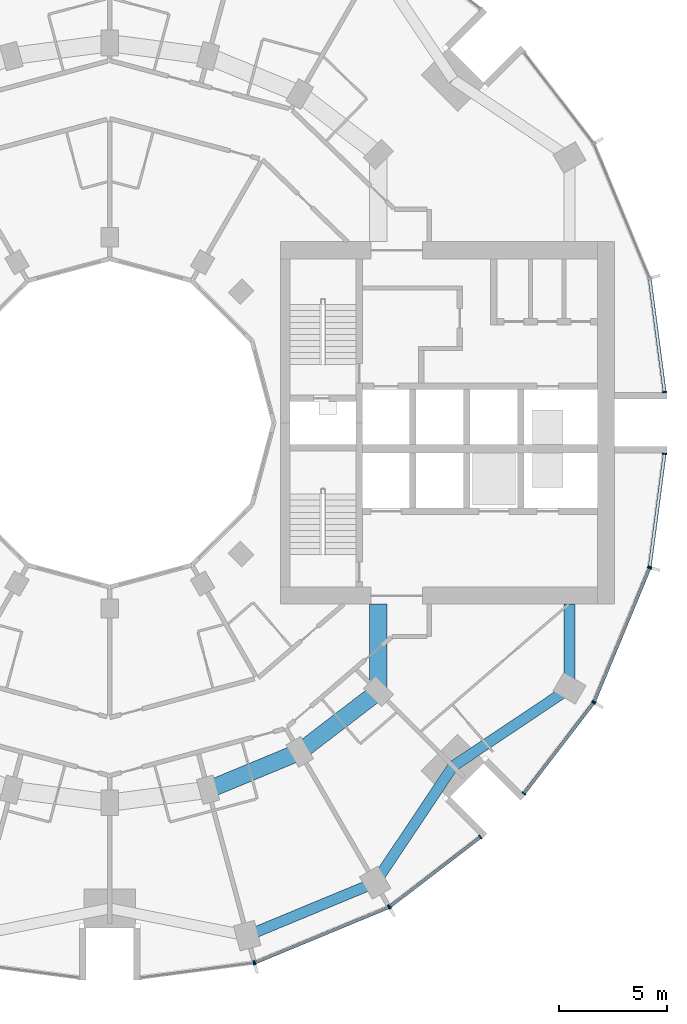
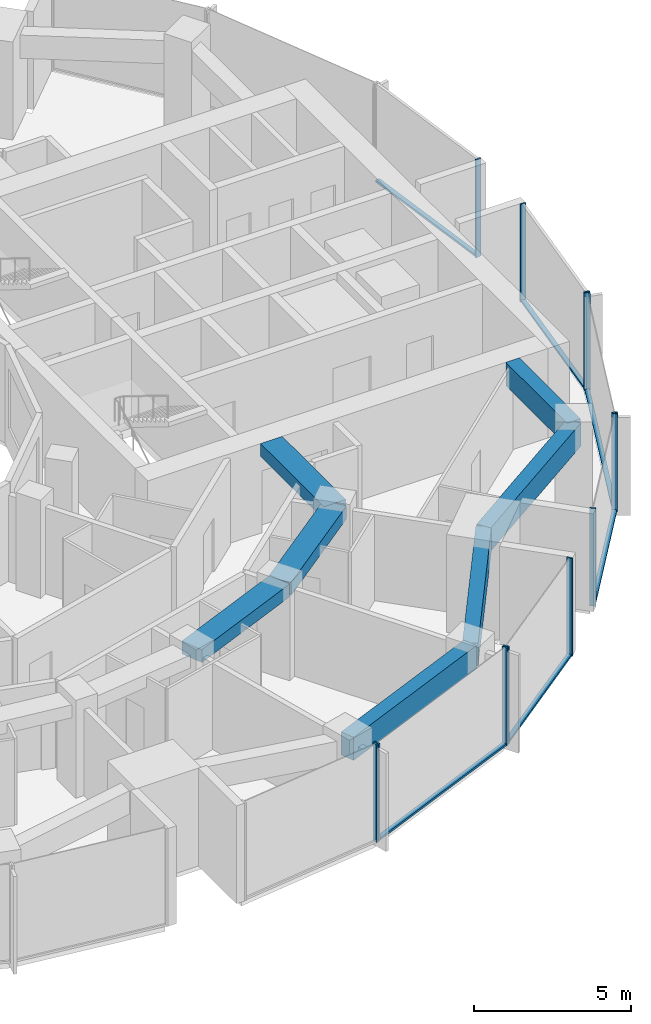
# One storey, part 4 of 15: 18 members, 7 beams, 7 elements without a shape of their own.
"""IFC4 building model written with IfcOpenShell, lengths in metres."""

from ifc_helpers import new_model, si_unit, direction, frame, origin, origin_2d, place, context, subcontext, project, spatial, rectangle, extrude, material, layer, layer_set, material_profile, profile_set, type_object, element, aggregate, save


model = new_model("IFC4")

# Units and contexts
model_context = context("Model", 3, precision=1e-05, world=origin(), true_north=direction((0.0, 1.0)))
body_context = subcontext(model_context, "Body", "Model", "MODEL_VIEW")
ifc_project = project(units=[si_unit("LENGTHUNIT", "METRE"), si_unit("AREAUNIT", "SQUARE_METRE"), si_unit("VOLUMEUNIT", "CUBIC_METRE"), si_unit("PLANEANGLEUNIT", "RADIAN"), si_unit("MASSUNIT", "GRAM", prefix="KILO")], contexts=[model_context])

# Site, building, storey
site_placement = place(None, origin())
site = spatial("IfcSite", under=ifc_project, at=site_placement, CompositionType="ELEMENT")
building_placement = place(site_placement, origin())
building = spatial("IfcBuilding", under=site, at=building_placement, Name="Torre Brocal", CompositionType="ELEMENT")
storey_placement = place(building_placement, frame((0.0, 0.0, 55.39990234375)))
storey = spatial("IfcBuildingStorey", under=building, at=storey_placement, Name="L12", CompositionType="ELEMENT", Elevation=55.39990234375)

# Curtain wall, member
ifc_material_1 = material(Name="Aluminium and glass", Category="aluminium")
ifc_layer_1 = layer(ifc_material_1, 0.199951171875)
ifc_layer_set_1 = layer_set([ifc_layer_1], Name="Aluminium and glass")
curtain_wall_type_1 = type_object("IfcCurtainWallType", Name="CW-1 CURTAIN WALL 3800 HIGH", PredefinedType="NOTDEFINED", material=ifc_layer_set_1)
curtain_wall_1_placement = place(storey_placement, origin())
curtain_wall_1 = element("IfcCurtainWall", 1, at=curtain_wall_1_placement, inside=storey, type_object=curtain_wall_type_1, Name="CW-1 RUN 19", PredefinedType="NOTDEFINED")
ifc_material_2 = material(Name="Aluminium, dark anodised", Category="aluminium")
ifc_material_profile_1 = material_profile(ifc_material_2, rectangle(XDim=0.199951171875, YDim=0.06005859375, at=origin_2d()), Name="CW-1 MULLION 60X200")
ifc_profile_set_1 = profile_set([ifc_material_profile_1], Name="Aluminium, dark anodised")
member_type_1 = type_object("IfcMemberType", Name="CW-1 MULLION 60X200", PredefinedType="MULLION", material=ifc_profile_set_1)
member_1_placement = place(storey_placement, frame((86.67333984375, 49.9794921875, 0.0), z_axis=(0.0, 0.0, 1.0), x_axis=(-0.13052619222, 0.991444861374, 0.0)))
member_1 = element("IfcMember", 2, at=member_1_placement, type_object=member_type_1, Name="CW1-1 mullion 2", PredefinedType="MULLION", context=body_context, shape_type="SweptSolid", body=[
    extrude(rectangle(XDim=0.199951171875, YDim=0.06005859375, at=origin_2d()), origin(), (0.0, 0.0, 1.0), 3.800048828125),
])
aggregate(curtain_wall_1, [member_1])

# Curtain wall, members
curtain_wall_2_placement = place(storey_placement, origin())
curtain_wall_2 = element("IfcCurtainWall", 3, at=curtain_wall_2_placement, inside=storey, type_object=curtain_wall_type_1, Name="CW-1 RUN 20", PredefinedType="NOTDEFINED")
member_2_placement = place(storey_placement, frame((86.73095703125, 49.994873046875, 0.0), z_axis=(0.0, 0.0, 1.0), x_axis=(-0.382683432333, 0.923879532525, 0.0)))
member_2 = element("IfcMember", 4, at=member_2_placement, type_object=member_type_1, Name="CW1-1 mullion 1", PredefinedType="MULLION", context=body_context, shape_type="SweptSolid", body=[
    extrude(rectangle(XDim=0.199951171875, YDim=0.06005859375, at=origin_2d()), origin(), (0.0, 0.0, 1.0), 3.800048828125),
])
member_3_placement = place(storey_placement, frame((92.921875, 52.559326171875, 0.0), z_axis=(0.0, 0.0, 1.0), x_axis=(-0.382683432333, 0.923879532525, 0.0)))
member_3 = element("IfcMember", 5, at=member_3_placement, type_object=member_type_1, Name="CW1-1 mullion 2", PredefinedType="MULLION", context=body_context, shape_type="SweptSolid", body=[
    extrude(rectangle(XDim=0.199951171875, YDim=0.06005859375, at=origin_2d()), origin(), (0.0, 0.0, 1.0), 3.800048828125),
])

curtain_wall_3_placement = place(storey_placement, origin())
curtain_wall_3 = element("IfcCurtainWall", 6, at=curtain_wall_3_placement, inside=storey, type_object=curtain_wall_type_1, Name="CW-1 RUN 21", PredefinedType="NOTDEFINED")
member_4_placement = place(storey_placement, frame((92.973388671875, 52.5888671875, 0.0), z_axis=(0.0, 0.0, 1.0), x_axis=(-0.60876142905, 0.793353340259, 0.0)))
member_4 = element("IfcMember", 7, at=member_4_placement, type_object=member_type_1, Name="CW1-1 mullion 1", PredefinedType="MULLION", context=body_context, shape_type="SweptSolid", body=[
    extrude(rectangle(XDim=0.199951171875, YDim=0.06005859375, at=origin_2d()), origin(), (0.0, 0.0, 1.0), 3.800048828125),
])
member_5_placement = place(storey_placement, frame((97.16943359375, 55.80859375, 0.0), z_axis=(0.0, 0.0, 1.0), x_axis=(-0.60876142905, 0.793353340259, 0.0)))
member_5 = element("IfcMember", 8, at=member_5_placement, type_object=member_type_1, Name="CW1-1 mullion 2", PredefinedType="MULLION", context=body_context, shape_type="SweptSolid", body=[
    extrude(rectangle(XDim=0.199951171875, YDim=0.06005859375, at=origin_2d()), origin(), (0.0, 0.0, 1.0), 3.800048828125),
])

curtain_wall_4_placement = place(storey_placement, origin())
curtain_wall_4 = element("IfcCurtainWall", 9, at=curtain_wall_4_placement, inside=storey, type_object=curtain_wall_type_1, Name="CW-1 RUN 22", PredefinedType="NOTDEFINED")
member_6_placement = place(storey_placement, frame((99.19140625, 57.83056640625, 0.0), z_axis=(0.0, 0.0, 1.0), x_axis=(-0.793353340259, 0.60876142905, 0.0)))
member_6 = element("IfcMember", 10, at=member_6_placement, type_object=member_type_1, Name="CW1-1 mullion 1", PredefinedType="MULLION", context=body_context, shape_type="SweptSolid", body=[
    extrude(rectangle(XDim=0.199951171875, YDim=0.06005859375, at=origin_2d()), origin(), (0.0, 0.0, 1.0), 3.800048828125),
])
member_7_placement = place(storey_placement, frame((102.4111328125, 62.026611328125, 0.0), z_axis=(0.0, 0.0, 1.0), x_axis=(-0.793353340259, 0.60876142905, 0.0)))
member_7 = element("IfcMember", 11, at=member_7_placement, type_object=member_type_1, Name="CW1-1 mullion 2", PredefinedType="MULLION", context=body_context, shape_type="SweptSolid", body=[
    extrude(rectangle(XDim=0.199951171875, YDim=0.06005859375, at=origin_2d()), origin(), (0.0, 0.0, 1.0), 3.800048828125),
])

curtain_wall_5_placement = place(storey_placement, origin())
curtain_wall_5 = element("IfcCurtainWall", 12, at=curtain_wall_5_placement, inside=storey, type_object=curtain_wall_type_1, Name="CW-1 RUN 23", PredefinedType="NOTDEFINED")
member_8_placement = place(storey_placement, frame((102.440673828125, 62.078125, 0.0), z_axis=(0.0, 0.0, 1.0), x_axis=(-0.923879532525, 0.382683432333, 0.0)))
member_8 = element("IfcMember", 13, at=member_8_placement, type_object=member_type_1, Name="CW1-1 mullion 1", PredefinedType="MULLION", context=body_context, shape_type="SweptSolid", body=[
    extrude(rectangle(XDim=0.199951171875, YDim=0.06005859375, at=origin_2d()), origin(), (0.0, 0.0, 1.0), 3.800048828125),
])
member_9_placement = place(storey_placement, frame((105.005126953125, 68.26904296875, 0.0), z_axis=(0.0, 0.0, 1.0), x_axis=(-0.923879532525, 0.382683432333, 0.0)))
member_9 = element("IfcMember", 14, at=member_9_placement, type_object=member_type_1, Name="CW1-1 mullion 2", PredefinedType="MULLION", context=body_context, shape_type="SweptSolid", body=[
    extrude(rectangle(XDim=0.199951171875, YDim=0.06005859375, at=origin_2d()), origin(), (0.0, 0.0, 1.0), 3.800048828125),
])

# Member
ifc_material_3 = material(Name="Aluminium, dark anodised", Category="aluminium")
ifc_material_profile_2 = material_profile(ifc_material_3, rectangle(XDim=0.159912109375, YDim=0.080078125, at=origin_2d()), Name="CW-1 TRANSOM 160X80")
ifc_profile_set_2 = profile_set([ifc_material_profile_2], Name="Aluminium, dark anodised")
member_type_2 = type_object("IfcMemberType", Name="CW-1 TRANSOM 160X80", PredefinedType="USERDEFINED", material=ifc_profile_set_2)
member_10_placement = place(storey_placement, frame((86.758544921875, 50.00634765625, 0.0400390625), z_axis=(0.923887344364, 0.38266457234, 0.0), x_axis=(-0.38266457234, 0.923887344364, 0.0)))
member_10 = element("IfcMember", 15, at=member_10_placement, type_object=member_type_2, Name="CW1-1 transom 1.1", ObjectType="TRANSOM", PredefinedType="USERDEFINED", context=body_context, shape_type="SweptSolid", body=[
    extrude(rectangle(XDim=0.159912109375, YDim=0.080078125, at=origin_2d()), origin(), (0.0, 0.0, 1.0), 6.640869140625),
])

aggregate(curtain_wall_2, [member_2, member_3, member_10])

member_11_placement = place(storey_placement, frame((92.9970703125, 52.607177734375, 0.0400390625), z_axis=(0.79336281513, 0.60874908096, 0.0), x_axis=(-0.60874908096, 0.79336281513, 0.0)))
member_11 = element("IfcMember", 16, at=member_11_placement, type_object=member_type_2, Name="CW1-1 transom 1.1", ObjectType="TRANSOM", PredefinedType="USERDEFINED", context=body_context, shape_type="SweptSolid", body=[
    extrude(rectangle(XDim=0.159912109375, YDim=0.080078125, at=origin_2d()), origin(), (0.0, 0.0, 1.0), 5.22900390625),
])

aggregate(curtain_wall_3, [member_4, member_5, member_11])

member_12_placement = place(storey_placement, frame((99.209716796875, 57.8544921875, 0.0400390625), z_axis=(0.60874908096, 0.79336281513, 0.0), x_axis=(-0.79336281513, 0.60874908096, 0.0)))
member_12 = element("IfcMember", 17, at=member_12_placement, type_object=member_type_2, Name="CW1-1 transom 1.1", ObjectType="TRANSOM", PredefinedType="USERDEFINED", context=body_context, shape_type="SweptSolid", body=[
    extrude(rectangle(XDim=0.159912109375, YDim=0.080078125, at=origin_2d()), origin(), (0.0, 0.0, 1.0), 5.22900390625),
])

aggregate(curtain_wall_4, [member_6, member_7, member_12])

member_13_placement = place(storey_placement, frame((102.452392578125, 62.10595703125, 0.0400390625), z_axis=(0.38266457234, 0.923887344364, 0.0), x_axis=(-0.923887344364, 0.38266457234, 0.0)))
member_13 = element("IfcMember", 18, at=member_13_placement, type_object=member_type_2, Name="CW1-1 transom 1.1", ObjectType="TRANSOM", PredefinedType="USERDEFINED", context=body_context, shape_type="SweptSolid", body=[
    extrude(rectangle(XDim=0.159912109375, YDim=0.080078125, at=origin_2d()), origin(), (0.0, 0.0, 1.0), 6.640869140625),
])

aggregate(curtain_wall_5, [member_8, member_9, member_13])

# Curtain wall, member
ifc_material_4 = material(Name="Aluminium and glass", Category="aluminium")
ifc_layer_2 = layer(ifc_material_4, 0.199951171875)
ifc_layer_set_2 = layer_set([ifc_layer_2], Name="Aluminium and glass")
curtain_wall_type_2 = type_object("IfcCurtainWallType", Name="CW-1B CURTAIN WALL 3800 HIGH", PredefinedType="NOTDEFINED", material=ifc_layer_set_2)
curtain_wall_6_placement = place(storey_placement, origin())
curtain_wall_6 = element("IfcCurtainWall", 19, at=curtain_wall_6_placement, inside=storey, type_object=curtain_wall_type_2, Name="CW-1B RUN 1", PredefinedType="NOTDEFINED")
ifc_material_5 = material(Name="Aluminium, dark anodised", Category="aluminium")
ifc_material_profile_3 = material_profile(ifc_material_5, rectangle(XDim=0.199951171875, YDim=0.06005859375, at=origin_2d()), Name="CW-1B MULLION 60X200")
ifc_profile_set_3 = profile_set([ifc_material_profile_3], Name="Aluminium, dark anodised")
member_type_3 = type_object("IfcMemberType", Name="CW-1B MULLION 60X200", PredefinedType="MULLION", material=ifc_profile_set_3)
member_14_placement = place(storey_placement, frame((105.7109375, 76.4296875, 0.0), z_axis=(0.0, 0.0, 1.0), x_axis=(-0.991444861374, -0.13052619222, 0.0)))
member_14 = element("IfcMember", 20, at=member_14_placement, type_object=member_type_3, Name="CW1B-1 mullion 1", PredefinedType="MULLION", context=body_context, shape_type="SweptSolid", body=[
    extrude(rectangle(XDim=0.199951171875, YDim=0.06005859375, at=origin_2d()), origin(), (0.0, 0.0, 1.0), 3.800048828125),
])

# Curtain wall, members
curtain_wall_7_placement = place(storey_placement, origin())
curtain_wall_7 = element("IfcCurtainWall", 21, at=curtain_wall_7_placement, inside=storey, type_object=curtain_wall_type_2, Name="CW-1B RUN 24", PredefinedType="NOTDEFINED")
member_15_placement = place(storey_placement, frame((105.0205078125, 68.32666015625, 0.0), z_axis=(0.0, 0.0, 1.0), x_axis=(-0.991444861374, 0.13052619222, 0.0)))
member_15 = element("IfcMember", 22, at=member_15_placement, type_object=member_type_3, Name="CW1B-1 mullion 1", PredefinedType="MULLION", context=body_context, shape_type="SweptSolid", body=[
    extrude(rectangle(XDim=0.199951171875, YDim=0.06005859375, at=origin_2d()), origin(), (0.0, 0.0, 1.0), 3.800048828125),
])
member_16_placement = place(storey_placement, frame((105.7109375, 73.5703125, 0.0), z_axis=(0.0, 0.0, 1.0), x_axis=(-0.991444861374, 0.13052619222, 0.0)))
member_16 = element("IfcMember", 23, at=member_16_placement, type_object=member_type_3, Name="CW1B-1 mullion 2", PredefinedType="MULLION", context=body_context, shape_type="SweptSolid", body=[
    extrude(rectangle(XDim=0.199951171875, YDim=0.06005859375, at=origin_2d()), origin(), (0.0, 0.0, 1.0), 3.800048828125),
])

# Member
ifc_material_6 = material(Name="Aluminium, dark anodised", Category="aluminium")
ifc_material_profile_4 = material_profile(ifc_material_6, rectangle(XDim=0.159912109375, YDim=0.080078125, at=origin_2d()), Name="CW-1B TRANSOM 160X80")
ifc_profile_set_4 = profile_set([ifc_material_profile_4], Name="Aluminium, dark anodised")
member_type_4 = type_object("IfcMemberType", Name="CW-1B TRANSOM 160X80", PredefinedType="USERDEFINED", material=ifc_profile_set_4)
member_17_placement = place(storey_placement, frame((105.70703125, 76.45947265625, 0.0400390625), z_axis=(-0.130542677827, 0.991442690863, 0.0), x_axis=(-0.991442690863, -0.130542677827, 0.0)))
member_17 = element("IfcMember", 24, at=member_17_placement, type_object=member_type_4, Name="CW1B-1 transom 1.1", ObjectType="TRANSOM", PredefinedType="USERDEFINED", context=body_context, shape_type="SweptSolid", body=[
    extrude(rectangle(XDim=0.159912109375, YDim=0.080078125, at=origin_2d()), origin(), (0.0, 0.0, 1.0), 5.22900390625),
])

aggregate(curtain_wall_6, [member_14, member_17])

member_18_placement = place(storey_placement, frame((105.0244140625, 68.356201171875, 0.0400390625), z_axis=(0.130542677827, 0.991442690863, 0.0), x_axis=(-0.991442690863, 0.130542677827, 0.0)))
member_18 = element("IfcMember", 25, at=member_18_placement, type_object=member_type_4, Name="CW1B-1 transom 1.1", ObjectType="TRANSOM", PredefinedType="USERDEFINED", context=body_context, shape_type="SweptSolid", body=[
    extrude(rectangle(XDim=0.159912109375, YDim=0.080078125, at=origin_2d()), origin(), (0.0, 0.0, 1.0), 5.22900390625),
])

aggregate(curtain_wall_7, [member_15, member_16, member_18])

# Beams
ifc_material_7 = material(Name="Concrete C50", Category="concrete")
ifc_material_profile_5 = material_profile(ifc_material_7, rectangle(XDim=0.800048828125, YDim=0.5, at=origin_2d()), Name="RC 800X500")
ifc_profile_set_5 = profile_set([ifc_material_profile_5], Name="Concrete C50")
beam_type_1 = type_object("IfcBeamType", Name="RC BEAM 800X500 C50 TOP 3480", PredefinedType="BEAM", material=ifc_profile_set_5)
beam_1_placement = place(storey_placement, frame((84.55517578125, 57.999755859375, 3.22998046875), z_axis=(0.923878240166, 0.382686552348, 0.0), x_axis=(-0.382686552348, 0.923878240166, 0.0)))
element("IfcBeam", 26, at=beam_1_placement, inside=storey, type_object=beam_type_1, Name="Beam BT-19", PredefinedType="BEAM", context=body_context, shape_type="SweptSolid", body=[
    extrude(rectangle(XDim=0.800048828125, YDim=0.5, at=origin_2d()), origin(), (0.0, 0.0, 1.0), 4.5947265625),
])
beam_2_placement = place(storey_placement, frame((88.800048828125, 59.758056640625, 3.22998046875), z_axis=(0.793358265959, 0.6087550097, 0.0), x_axis=(-0.6087550097, 0.793358265959, 0.0)))
element("IfcBeam", 27, at=beam_2_placement, inside=storey, type_object=beam_type_1, Name="Beam BT-19", PredefinedType="BEAM", context=body_context, shape_type="SweptSolid", body=[
    extrude(rectangle(XDim=0.800048828125, YDim=0.5, at=origin_2d()), origin(), (0.0, 0.0, 1.0), 4.594482421875),
])
beam_3_placement = place(storey_placement, frame((92.445068359375, 62.554931640625, 3.22998046875), z_axis=(0.0, 1.0, 0.0), x_axis=(-1.0, 0.0, 0.0)))
element("IfcBeam", 28, at=beam_3_placement, inside=storey, type_object=beam_type_1, Name="Beam BT-19", PredefinedType="BEAM", context=body_context, shape_type="SweptSolid", body=[
    extrude(rectangle(XDim=0.800048828125, YDim=0.5, at=origin_2d()), origin(), (0.0, 0.0, 1.0), 4.045166015625),
])
ifc_material_8 = material(Name="Concrete C50", Category="concrete")
ifc_material_profile_6 = material_profile(ifc_material_8, rectangle(XDim=0.5, YDim=0.89990234375, at=origin_2d()), Name="RC 500X900")
ifc_profile_set_6 = profile_set([ifc_material_profile_6], Name="Concrete C50")
beam_type_2 = type_object("IfcBeamType", Name="RC SPANDREL BEAM 500X900 C50 TOP 3480", PredefinedType="SPANDREL", material=ifc_profile_set_6)
beam_4_placement = place(storey_placement, frame((86.366943359375, 51.23828125, 3.030029296875), z_axis=(0.923882462513, 0.382676358639, 0.0), x_axis=(-0.382676358639, 0.923882462513, 0.0)))
element("IfcBeam", 29, at=beam_4_placement, inside=storey, type_object=beam_type_2, Name="Beam BT-20", PredefinedType="SPANDREL", context=body_context, shape_type="SweptSolid", body=[
    extrude(rectangle(XDim=0.5, YDim=0.89990234375, at=origin_2d()), origin(), (0.0, 0.0, 1.0), 6.421875),
])
for number, where, z_axis, x_axis, name in (
    (30, (92.300048828125, 53.69580078125, 3.030029296875), (0.556157602282, 0.831076844476, 0.0), (-0.831076844476, 0.556157602282, 0.0), "Beam BT-20"),
    (31, (95.909912109375, 59.090087890625, 3.030029296875), (0.831076844476, 0.556157602282, 0.0), (-0.556157602282, 0.831076844476, 0.0), "Beam BT-20"),
):
    element("IfcBeam", number, at=place(storey_placement, frame(where, z_axis=z_axis, x_axis=x_axis)), inside=storey, type_object=beam_type_2, Name=name, PredefinedType="SPANDREL", context=body_context, shape_type="SweptSolid", body=[
        extrude(rectangle(XDim=0.5, YDim=0.89990234375, at=origin_2d()), origin(), (0.0, 0.0, 1.0), 6.49072265625),
    ])
beam_5_placement = place(storey_placement, frame((101.30419921875, 62.699951171875, 3.030029296875), z_axis=(0.0, 1.0, 0.0), x_axis=(-1.0, 0.0, 0.0)))
element("IfcBeam", 32, at=beam_5_placement, inside=storey, type_object=beam_type_2, Name="Beam BT-20", PredefinedType="SPANDREL", context=body_context, shape_type="SweptSolid", body=[
    extrude(rectangle(XDim=0.5, YDim=0.89990234375, at=origin_2d()), origin(), (0.0, 0.0, 1.0), 3.900146484375),
])

save(model, "model.ifc")
